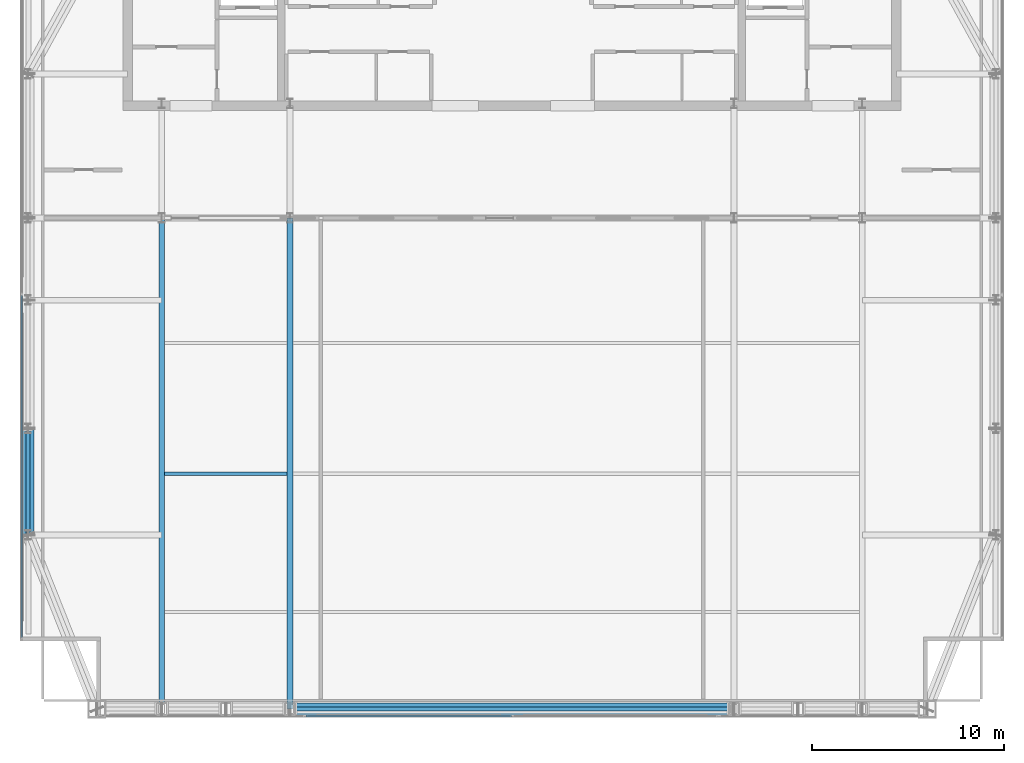
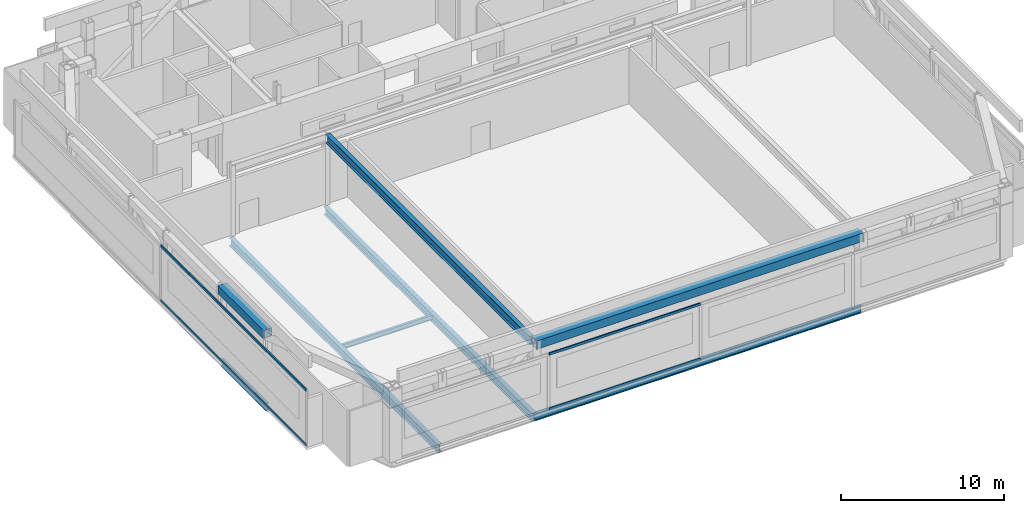
# One storey, part 5 of 24: 8 beams, 4 members, 2 elements without a shape of their own.
"""IFC4 building model written with IfcOpenShell, lengths in metres."""

from ifc_helpers import new_model, si_unit, direction, frame, origin, origin_2d, place, context, subcontext, project, spatial, hollow_rectangle, i_section, extrude, material, material_profile, profile_set, type_object, element, aggregate, save


model = new_model("IFC4")

# Units and contexts
model_context = context("Model", 3, precision=1e-05, world=origin(), true_north=direction((0.0, 1.0)))
body_context = subcontext(model_context, "Body", "Model", "MODEL_VIEW")
ifc_project = project(units=[si_unit("LENGTHUNIT", "METRE"), si_unit("AREAUNIT", "SQUARE_METRE"), si_unit("VOLUMEUNIT", "CUBIC_METRE"), si_unit("PLANEANGLEUNIT", "RADIAN"), si_unit("MASSUNIT", "GRAM", prefix="KILO")], contexts=[model_context])

# Site, building, storey
site_placement = place(None, origin())
site = spatial("IfcSite", under=ifc_project, at=site_placement, CompositionType="ELEMENT")
building_placement = place(site_placement, origin())
building = spatial("IfcBuilding", under=site, at=building_placement, Name="Khoronbel Lancet Exchange", CompositionType="ELEMENT")
storey_placement = place(building_placement, frame((0.0, 0.0, 378.60009765625)))
storey = spatial("IfcBuildingStorey", under=building, at=storey_placement, Name="L96", CompositionType="ELEMENT", Elevation=378.60009765625)

# Beams
ifc_material_1 = material(Name="Steel S355", Category="steel")
ifc_material_profile_1 = material_profile(ifc_material_1, i_section(OverallWidth=0.300048828125, OverallDepth=0.64990234375, WebThickness=0.01611328125, FlangeThickness=0.031005859375, at=origin_2d()), Name="HEB 650")
ifc_profile_set_1 = profile_set([ifc_material_profile_1], Name="Steel S355")
beam_type_1 = type_object("IfcBeamType", Name="BM-BG4", PredefinedType="BEAM", material=ifc_profile_set_1)
beam_1_placement = place(storey_placement, frame((24.89990234375, 10.47998046875, 5.034912109375), z_axis=(0.0, 1.0, 0.0), x_axis=(-1.0, 0.0, 0.0)))
element("IfcBeam", 1, at=beam_1_placement, inside=storey, type_object=beam_type_1, Name="CROWN FRAME transverse roof tie girder W", PredefinedType="BEAM", context=body_context, shape_type="SweptSolid", body=[
    extrude(i_section(OverallWidth=0.300048828125, OverallDepth=0.64990234375, WebThickness=0.01611328125, FlangeThickness=0.031005859375, at=origin_2d()), origin(), (0.0, 0.0, 1.0), 24.9599609375),
])
ifc_material_profile_2 = material_profile(ifc_material_1, i_section(OverallWidth=0.300048828125, OverallDepth=0.60009765625, WebThickness=0.015380859375, FlangeThickness=0.030029296875, at=origin_2d()), Name="HEB 600")
ifc_profile_set_2 = profile_set([ifc_material_profile_2], Name="Steel S355")
beam_type_2 = type_object("IfcBeamType", Name="BM-BG5", PredefinedType="BEAM", material=ifc_profile_set_2)
for number, where, z_axis, x_axis, name in (
    (2, (18.22509765625, 10.14990234375, -0.5), (0.0, 1.0, 0.0), (-1.0, 0.0, 0.0), "Level L96 south primary girder GS1"),
    (3, (24.89990234375, 10.14990234375, -0.5), (0.0, 1.0, 0.0), (-1.0, 0.0, 0.0), "Level L96 south primary girder GS2"),
):
    element("IfcBeam", number, at=place(storey_placement, frame(where, z_axis=z_axis, x_axis=x_axis)), inside=storey, type_object=beam_type_2, Name=name, PredefinedType="BEAM", context=body_context, shape_type="SweptSolid", body=[
        extrude(i_section(OverallWidth=0.300048828125, OverallDepth=0.60009765625, WebThickness=0.015380859375, FlangeThickness=0.030029296875, at=origin_2d()), origin(), (0.0, 0.0, 1.0), 25.550048828125),
    ])
ifc_material_profile_3 = material_profile(ifc_material_1, i_section(OverallWidth=0.169921875, OverallDepth=0.360107421875, WebThickness=0.008056640625, FlangeThickness=0.0126953125, at=origin_2d()), Name="IPE 360")
ifc_profile_set_3 = profile_set([ifc_material_profile_3], Name="Steel S355")
beam_type_3 = type_object("IfcBeamType", Name="BM-BJ6", PredefinedType="JOIST", material=ifc_profile_set_3)
beam_2_placement = place(storey_placement, frame((18.375, 22.39990234375, -0.380126953125), z_axis=(1.0, 0.0, 0.0), x_axis=(0.0, 1.0, 0.0)))
element("IfcBeam", 4, at=beam_2_placement, inside=storey, type_object=beam_type_3, Name="Level L96 secondary composite joist J04", PredefinedType="JOIST", context=body_context, shape_type="SweptSolid", body=[
    extrude(i_section(OverallWidth=0.169921875, OverallDepth=0.360107421875, WebThickness=0.008056640625, FlangeThickness=0.0126953125, at=origin_2d()), origin(), (0.0, 0.0, 1.0), 6.375),
])
ifc_material_profile_4 = material_profile(ifc_material_1, i_section(OverallWidth=0.2099609375, OverallDepth=0.550048828125, WebThickness=0.010986328125, FlangeThickness=0.01708984375, at=origin_2d()), Name="IPE 550")
ifc_profile_set_4 = profile_set([ifc_material_profile_4], Name="Steel S355")
beam_type_4 = type_object("IfcBeamType", Name="BM-BSP3", PredefinedType="SPANDREL", material=ifc_profile_set_4)
beam_3_placement = place(storey_placement, frame((24.89990234375, 10.14990234375, -0.47509765625), z_axis=(1.0, 0.0, 0.0), x_axis=(0.0, 1.0, 0.0)))
element("IfcBeam", 5, at=beam_3_placement, inside=storey, type_object=beam_type_4, Name="Level L96 perimeter spandrel beam SP04", PredefinedType="SPANDREL", context=body_context, shape_type="SweptSolid", body=[
    extrude(i_section(OverallWidth=0.2099609375, OverallDepth=0.550048828125, WebThickness=0.010986328125, FlangeThickness=0.01708984375, at=origin_2d()), origin(), (0.0, 0.0, 1.0), 23.10009765625),
])
beam_4_placement = place(storey_placement, frame((11.27001953125, 24.75, -0.47509765625), z_axis=(0.0, -1.0, 0.0), x_axis=(1.0, 0.0, 0.0)))
element("IfcBeam", 6, at=beam_4_placement, inside=storey, type_object=beam_type_4, Name="Level L96 perimeter spandrel beam SP18", PredefinedType="SPANDREL", context=body_context, shape_type="SweptSolid", body=[
    extrude(i_section(OverallWidth=0.2099609375, OverallDepth=0.550048828125, WebThickness=0.010986328125, FlangeThickness=0.01708984375, at=origin_2d()), origin(), (0.0, 0.0, 1.0), 5.550048828125),
])
ifc_material_profile_5 = material_profile(ifc_material_1, hollow_rectangle(XDim=0.6201171875, YDim=0.6201171875, WallThickness=0.0400390625, at=origin_2d()), Name="BOX 620x620x40")
ifc_profile_set_5 = profile_set([ifc_material_profile_5], Name="Steel S355")
beam_type_5 = type_object("IfcBeamType", Name="BM-RB1", PredefinedType="USERDEFINED", material=ifc_profile_set_5)
beam_5_placement = place(storey_placement, frame((24.89990234375, 10.14990234375, 5.0498046875), z_axis=(1.0, 0.0, 0.0), x_axis=(0.0, 1.0, 0.0)))
element("IfcBeam", 7, at=beam_5_placement, inside=storey, type_object=beam_type_5, Name="CROWN FRAME top ring cap beam RB04", ObjectType="RING BEAM", PredefinedType="USERDEFINED", context=body_context, shape_type="SweptSolid", body=[
    extrude(hollow_rectangle(XDim=0.6201171875, YDim=0.6201171875, WallThickness=0.0400390625, at=origin_2d()), origin(), (0.0, 0.0, 1.0), 23.10009765625),
])
beam_6_placement = place(storey_placement, frame((11.27001953125, 24.75, 5.0498046875), z_axis=(0.0, -1.0, 0.0), x_axis=(1.0, 0.0, 0.0)))
element("IfcBeam", 8, at=beam_6_placement, inside=storey, type_object=beam_type_5, Name="CROWN FRAME top ring cap beam RB20", ObjectType="RING BEAM", PredefinedType="USERDEFINED", context=body_context, shape_type="SweptSolid", body=[
    extrude(hollow_rectangle(XDim=0.6201171875, YDim=0.6201171875, WallThickness=0.0400390625, at=origin_2d()), origin(), (0.0, 0.0, 1.0), 5.550048828125),
])

# Curtain wall, members
ifc_material_2 = material(Name="Low-E Solar Control Insulating Glass", Category="glass")
curtain_wall_type = type_object("IfcCurtainWallType", Name="CW-6", PredefinedType="NOTDEFINED", material=ifc_material_2)
curtain_wall_1_placement = place(storey_placement, origin())
curtain_wall_1 = element("IfcCurtainWall", 9, at=curtain_wall_1_placement, inside=storey, type_object=curtain_wall_type, Name="Unitised curtain wall CW-L96-E03", PredefinedType="NOTDEFINED")
ifc_material_3 = material(Name="Bronze-Anodised Aluminium 6063-T6", Category="aluminium")
ifc_material_profile_6 = material_profile(ifc_material_3, hollow_rectangle(XDim=0.0849609375, YDim=0.179931640625, WallThickness=0.0048828125, at=origin_2d()), Name="ALU TRANSOM 85x180")
ifc_profile_set_6 = profile_set([ifc_material_profile_6], Name="Bronze-Anodised Aluminium 6063-T6")
member_type = type_object("IfcMemberType", Name="MEM-CWT1", PredefinedType="USERDEFINED", material=ifc_profile_set_6)
member_1_placement = place(storey_placement, frame((10.93994140625, 13.864990234375, 0.04248046875), z_axis=(0.0, 1.0, 0.0), x_axis=(-1.0, 0.0, 0.0)))
member_1 = element("IfcMember", 10, at=member_1_placement, type_object=member_type, Name="CW6 transom 1.1", ObjectType="TRANSOM", PredefinedType="USERDEFINED", context=body_context, shape_type="SweptSolid", body=[
    extrude(hollow_rectangle(XDim=0.0849609375, YDim=0.179931640625, WallThickness=0.0048828125, at=origin_2d()), origin(), (0.0, 0.0, 1.0), 17.797607421875),
])
member_2_placement = place(storey_placement, frame((10.93994140625, 13.864990234375, 4.137451171875), z_axis=(0.0, 1.0, 0.0), x_axis=(-1.0, 0.0, 0.0)))
member_2 = element("IfcMember", 11, at=member_2_placement, type_object=member_type, Name="CW6 transom 1.2", ObjectType="TRANSOM", PredefinedType="USERDEFINED", context=body_context, shape_type="SweptSolid", body=[
    extrude(hollow_rectangle(XDim=0.0849609375, YDim=0.179931640625, WallThickness=0.0048828125, at=origin_2d()), origin(), (0.0, 0.0, 1.0), 17.797607421875),
])
aggregate(curtain_wall_1, [member_1, member_2])

curtain_wall_2_placement = place(storey_placement, origin())
curtain_wall_2 = element("IfcCurtainWall", 12, at=curtain_wall_2_placement, inside=storey, type_object=curtain_wall_type, Name="Unitised curtain wall CW-L96-E12", PredefinedType="NOTDEFINED")
member_3_placement = place(storey_placement, frame((36.41259765625, 9.7900390625, 0.04248046875), z_axis=(-1.0, 0.0, 0.0), x_axis=(0.0, -1.0, 0.0)))
member_3 = element("IfcMember", 13, at=member_3_placement, type_object=member_type, Name="CW6 transom 3.1", ObjectType="TRANSOM", PredefinedType="USERDEFINED", context=body_context, shape_type="SweptSolid", body=[
    extrude(hollow_rectangle(XDim=0.0849609375, YDim=0.179931640625, WallThickness=0.0048828125, at=origin_2d()), origin(), (0.0, 0.0, 1.0), 10.68017578125),
])
member_4_placement = place(storey_placement, frame((36.41259765625, 9.7900390625, 4.137451171875), z_axis=(-1.0, 0.0, 0.0), x_axis=(0.0, -1.0, 0.0)))
member_4 = element("IfcMember", 14, at=member_4_placement, type_object=member_type, Name="CW6 transom 3.2", ObjectType="TRANSOM", PredefinedType="USERDEFINED", context=body_context, shape_type="SweptSolid", body=[
    extrude(hollow_rectangle(XDim=0.0849609375, YDim=0.179931640625, WallThickness=0.0048828125, at=origin_2d()), origin(), (0.0, 0.0, 1.0), 10.68017578125),
])
aggregate(curtain_wall_2, [member_3, member_4])

save(model, "model.ifc")
